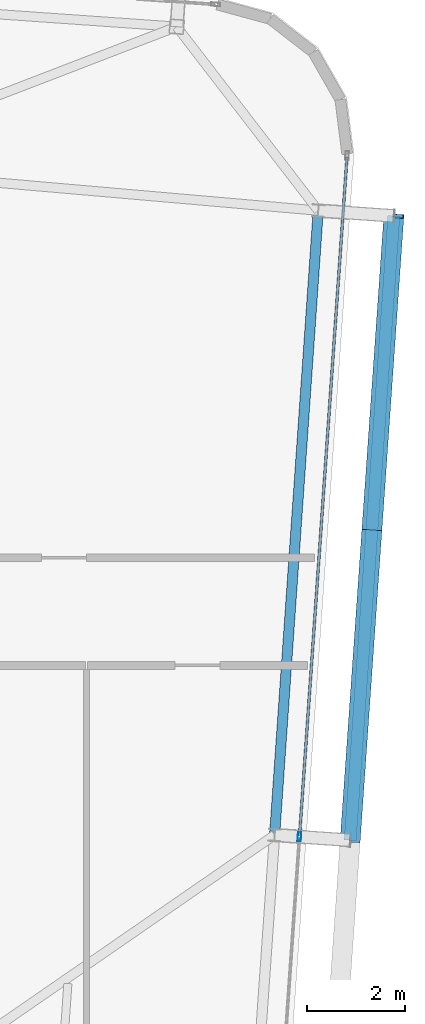
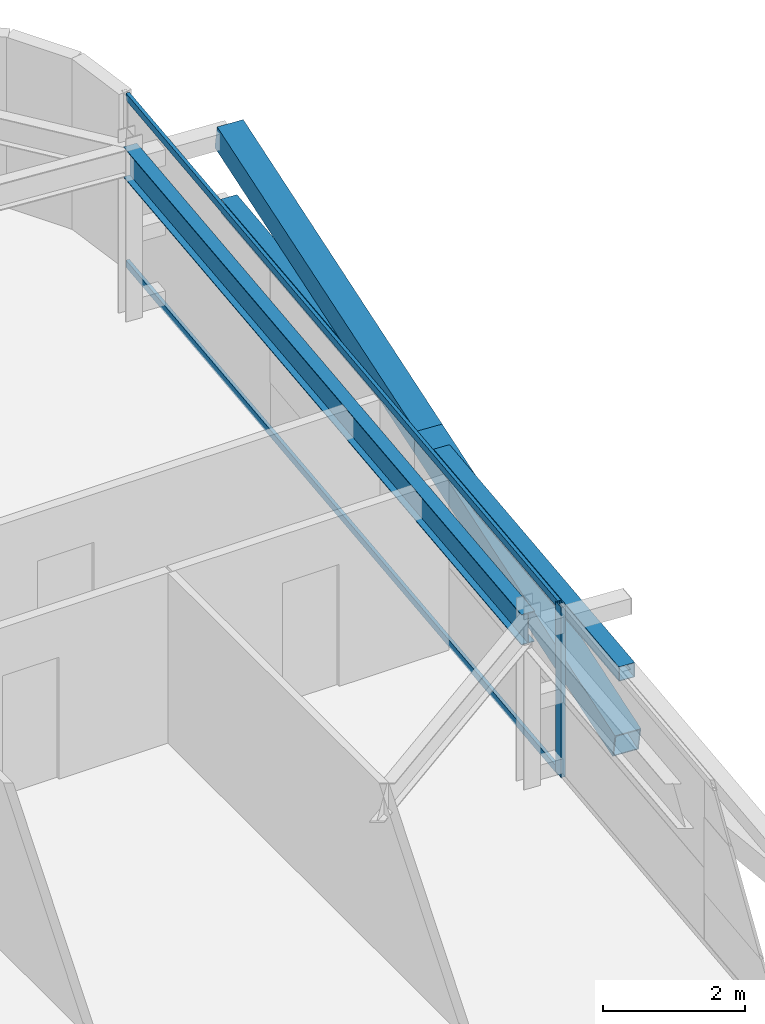
# One storey, part 17 of 39: 6 members, 1 beam, 1 element without a shape of its own.
"""IFC4 building model written with IfcOpenShell, lengths in metres."""

from ifc_helpers import new_model, si_unit, direction, frame, origin, origin_2d, place, context, subcontext, project, spatial, hollow_rectangle, i_section, extrude, source, transform, mapped, material, layer, layer_set, material_profile, profile_set, type_object, element, aggregate, save


model = new_model("IFC4")

# Units and contexts
model_context = context("Model", 3, precision=1e-05, world=origin(), true_north=direction((0.0, 1.0)))
body_context = subcontext(model_context, "Body", "Model", "MODEL_VIEW")
ifc_project = project(units=[si_unit("LENGTHUNIT", "METRE"), si_unit("AREAUNIT", "SQUARE_METRE"), si_unit("VOLUMEUNIT", "CUBIC_METRE"), si_unit("PLANEANGLEUNIT", "RADIAN"), si_unit("MASSUNIT", "GRAM", prefix="KILO")], contexts=[model_context])

# Site, building, storey
site_placement = place(None, origin())
site = spatial("IfcSite", under=ifc_project, at=site_placement, CompositionType="ELEMENT")
building_placement = place(site_placement, origin())
building = spatial("IfcBuilding", under=site, at=building_placement, Name="Taldren Reach Tower", CompositionType="ELEMENT")
storey_placement = place(building_placement, frame((0.0, 0.0, 136.14990234375)))
storey = spatial("IfcBuildingStorey", under=building, at=storey_placement, Name="L41", CompositionType="ELEMENT", Elevation=136.14990234375)

# Beam
ifc_material_1 = material(Name="Steel Gr 350 (350PLUS)", Category="steel")
ifc_material_profile_1 = material_profile(ifc_material_1, i_section(OverallWidth=0.208984375, OverallDepth=0.528076171875, WebThickness=0.009521484375, FlangeThickness=0.01318359375, at=origin_2d()), Name="530UB82.0")
ifc_profile_set_1 = profile_set([ifc_material_profile_1], Name="Steel Gr 350 (350PLUS)")
beam_type = type_object("IfcBeamType", Name="SP-UB530B", PredefinedType="SPANDREL", material=ifc_profile_set_1)
shared_shape_1 = source(origin(), body_context, "Body", "SweptSolid", [
    extrude(i_section(OverallWidth=0.208984375, OverallDepth=0.528076171875, WebThickness=0.009521484375, FlangeThickness=0.01318359375, at=origin_2d()), origin(), (0.0, 0.0, 1.0), 12.800048828125),
])
beam_placement = place(storey_placement, frame((60.438232421875, 18.331787109375, 2.666015625), z_axis=(0.069751876777, 0.9975643717, 0.0), x_axis=(-0.9975643717, 0.069751876777, 0.0)))
element("IfcBeam", 1, at=beam_placement, inside=storey, type_object=beam_type, Name="Perimeter spandrel B3 E2-E3 L41", PredefinedType="SPANDREL", context=body_context, shape_type="MappedRepresentation", body=[
    mapped(shared_shape_1, transform((0.0, 0.0, 0.0), scale=1.0)),
])

# Members
ifc_material_2 = material(Name="Steel Gr 350 (C350L0)", Category="steel")
ifc_material_profile_2 = material_profile(ifc_material_2, hollow_rectangle(XDim=0.25, YDim=0.25, WallThickness=0.010009765625, at=origin_2d()), Name="250x250x10.0SHS")
ifc_profile_set_2 = profile_set([ifc_material_profile_2], Name="Steel Gr 350 (C350L0)")
member_type_1 = type_object("IfcMemberType", Name="MB-POST250", PredefinedType="POST", material=ifc_profile_set_2)
shared_shape_2 = source(origin(), body_context, "Body", "SweptSolid", [
    extrude(hollow_rectangle(XDim=0.25, YDim=0.25, WallThickness=0.010009765625, at=origin_2d()), origin(), (0.0, 0.0, 1.0), 12.800048828125),
])
member_1_placement = place(storey_placement, frame((61.984375, 18.2236328125, 1.43505859375), z_axis=(0.069770857464, 0.997563044348, 0.0), x_axis=(-0.997563044348, 0.069770857464, 0.0)))
element("IfcMember", 2, at=member_1_placement, inside=storey, type_object=member_type_1, Name="Exoskeleton mid-height ring chord B3-E2 L41", PredefinedType="POST", context=body_context, shape_type="MappedRepresentation", body=[
    mapped(shared_shape_2, transform((0.0, 0.0, 0.0), scale=1.0)),
])
ifc_material_3 = material(Name="Steel Gr 450 (C450L0)", Category="steel")
ifc_material_profile_3 = material_profile(ifc_material_3, hollow_rectangle(XDim=0.409912109375, YDim=0.409912109375, WallThickness=0.01611328125, at=origin_2d()), Name="410x410x16.0SHS")
ifc_profile_set_3 = profile_set([ifc_material_profile_3], Name="Steel Gr 450 (C450L0)")
member_type_2 = type_object("IfcMemberType", Name="MB-EXO406", PredefinedType="BRACE", material=ifc_profile_set_3)
shared_shape_3 = source(origin(), body_context, "Body", "SweptSolid", [
    extrude(hollow_rectangle(XDim=0.409912109375, YDim=0.409912109375, WallThickness=0.01611328125, at=origin_2d()), origin(), (0.0, 0.0, 1.0), 6.514404296875),
])
member_2_placement = place(storey_placement, frame((62.430908203125, 24.60791015625, 1.43505859375), z_axis=(0.068545126831, 0.980056649402, 0.186522195865), x_axis=(-0.997563137195, 0.069769529958, 0.0)))
element("IfcMember", 3, at=member_2_placement, inside=storey, type_object=member_type_2, Name="Exoskeleton Diagrid Brace B3-E2 L41", PredefinedType="BRACE", context=body_context, shape_type="MappedRepresentation", body=[
    mapped(shared_shape_3, transform((0.0, 0.0, 0.0), scale=1.0)),
])
shared_shape_4 = source(origin(), body_context, "Body", "SweptSolid", [
    extrude(hollow_rectangle(XDim=0.409912109375, YDim=0.409912109375, WallThickness=0.01611328125, at=origin_2d()), origin(), (0.0, 0.0, 1.0), 6.51416015625),
])
member_3_placement = place(storey_placement, frame((61.984375, 18.2236328125, 0.22021484375), z_axis=(0.068548123702, 0.980062020128, 0.186492872358), x_axis=(-0.997562951496, 0.069772185021, 0.0)))
element("IfcMember", 4, at=member_3_placement, inside=storey, type_object=member_type_2, Name="Exoskeleton Diagrid Brace B3-E2 L41", PredefinedType="BRACE", context=body_context, shape_type="MappedRepresentation", body=[
    mapped(shared_shape_4, transform((0.0, 0.0, 0.0), scale=1.0)),
])

# Curtain wall, members
ifc_material_4 = material(Name="Aluminium and Low-E Glass Unitised System", Category="aluminium")
ifc_layer = layer(ifc_material_4, 0.159912109375)
ifc_layer_set = layer_set([ifc_layer], Name="Aluminium and Low-E Glass Unitised System")
curtain_wall_type = type_object("IfcCurtainWallType", Name="CW-SYS-4", PredefinedType="NOTDEFINED", material=ifc_layer_set)
curtain_wall_placement = place(storey_placement, origin())
curtain_wall = element("IfcCurtainWall", 5, at=curtain_wall_placement, inside=storey, type_object=curtain_wall_type, Name="Unitised curtain wall CW-L41-E", PredefinedType="NOTDEFINED")
ifc_material_5 = material(Name="Anodised Aluminium 6063-T6", Category="aluminium")
ifc_material_profile_4 = material_profile(ifc_material_5, hollow_rectangle(XDim=0.070068359375, YDim=0.179931640625, WallThickness=0.00390625, at=origin_2d()), Name="ALU-180x70x4RHS")
ifc_profile_set_4 = profile_set([ifc_material_profile_4], Name="Anodised Aluminium 6063-T6")
member_type_3 = type_object("IfcMemberType", Name="CW-MUL-180", PredefinedType="MULLION", material=ifc_profile_set_4)
shared_shape_5 = source(origin(), body_context, "Body", "SweptSolid", [
    extrude(hollow_rectangle(XDim=0.070068359375, YDim=0.179931640625, WallThickness=0.00390625, at=origin_2d()), origin(), (0.0, 0.0, 1.0), 2.93017578125),
])
member_4_placement = place(storey_placement, frame((60.947021484375, 18.296142578125, 0.0), z_axis=(0.0, 0.0, 1.0), x_axis=(-0.997564052812, 0.069756437251, 0.0)))
member_4 = element("IfcMember", 6, at=member_4_placement, type_object=member_type_3, Name="CW-4 mullion 2", PredefinedType="MULLION", context=body_context, shape_type="MappedRepresentation", body=[
    mapped(shared_shape_5, transform((0.0, 0.0, 0.0), scale=1.0)),
])
ifc_material_profile_5 = material_profile(ifc_material_5, hollow_rectangle(XDim=0.054931640625, YDim=0.1201171875, WallThickness=0.0029296875, at=origin_2d()), Name="ALU-120x55x3RHS")
ifc_profile_set_5 = profile_set([ifc_material_profile_5], Name="Anodised Aluminium 6063-T6")
member_type_4 = type_object("IfcMemberType", Name="CW-TRN-135", PredefinedType="USERDEFINED", material=ifc_profile_set_5)
shared_shape_6 = source(origin(), body_context, "Body", "SweptSolid", [
    extrude(hollow_rectangle(XDim=0.054931640625, YDim=0.1201171875, WallThickness=0.0029296875, at=origin_2d()), origin(), (0.0, 0.0, 1.0), 13.89501953125),
])
member_5_placement = place(storey_placement, frame((60.949462890625, 18.3310546875, 0.027587890625), z_axis=(0.069754817075, 0.997564166104, 0.0), x_axis=(-0.997564166104, 0.069754817075, 0.0)))
member_5 = element("IfcMember", 7, at=member_5_placement, type_object=member_type_4, Name="CW-4 transom 2.1", ObjectType="TRANSOM", PredefinedType="USERDEFINED", context=body_context, shape_type="MappedRepresentation", body=[
    mapped(shared_shape_6, transform((0.0, 0.0, 0.0), scale=1.0)),
])
member_6_placement = place(storey_placement, frame((60.949462890625, 18.3310546875, 2.902587890625), z_axis=(0.069754817075, 0.997564166104, 0.0), x_axis=(-0.997564166104, 0.069754817075, 0.0)))
member_6 = element("IfcMember", 8, at=member_6_placement, type_object=member_type_4, Name="CW-4 transom 2.2", ObjectType="TRANSOM", PredefinedType="USERDEFINED", context=body_context, shape_type="MappedRepresentation", body=[
    mapped(shared_shape_6, transform((0.0, 0.0, 0.0), scale=1.0)),
])
aggregate(curtain_wall, [member_4, member_5, member_6])

save(model, "model.ifc")
